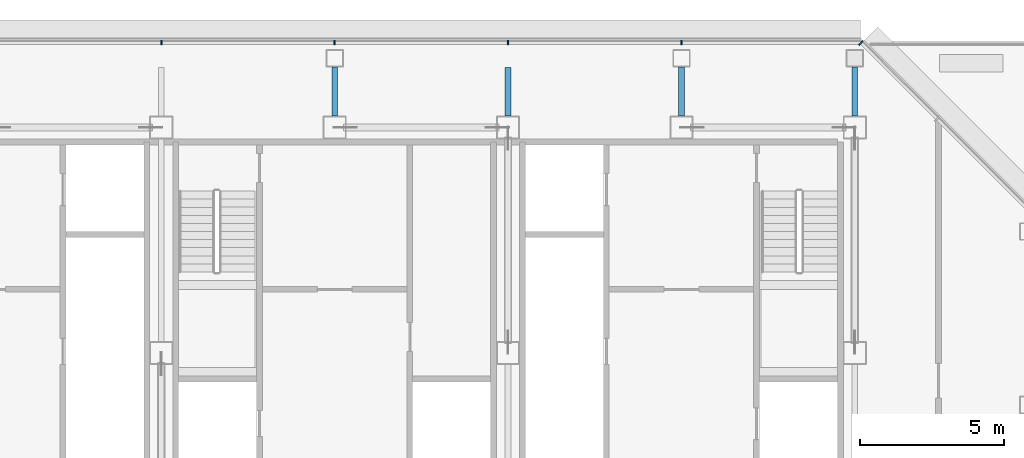
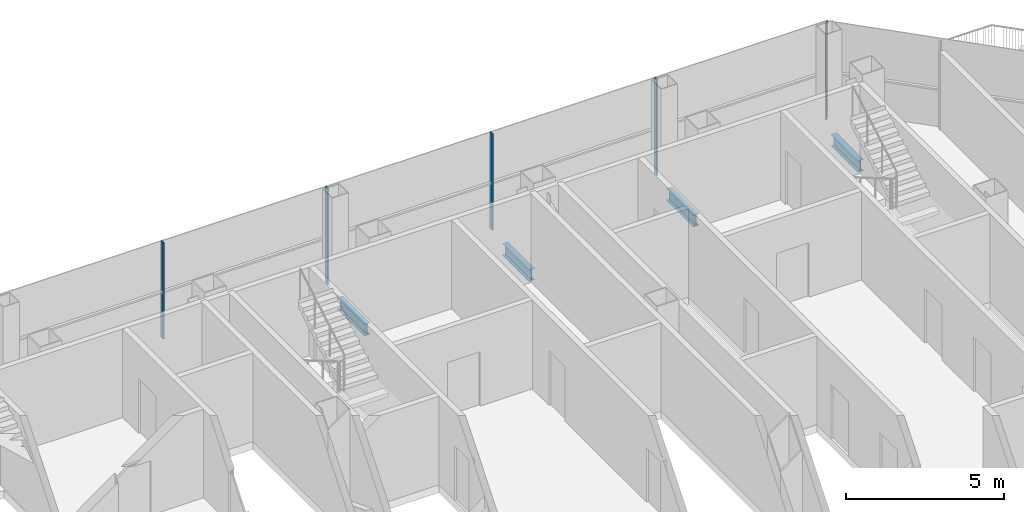
# One storey, part 14 of 28: 5 members, 4 beams, 2 elements without a shape of their own.
"""IFC4 building model written with IfcOpenShell, lengths in metres."""

import ifcopenshell
import ifcopenshell.guid

model = None  # the IFC model being written
_history = None  # IfcOwnerHistory: only IFC2X3 demands one
_inside = {}  # id of a spatial element -> (the spatial element, [elements in it])
_under = {}  # id of a project, library or spatial element -> (it, [spatial elements below it])
_declared = {}  # id of a project -> (the project, [libraries it declares])
_typed = {}  # id of a type object -> (the type object, [elements of that type])
_made_of = {}  # id of a material, layer set ... -> (it, [elements and type objects made of it])


def new_model(schema):
    """Start an empty IFC model of exactly this schema.

    Asked for "IFC4X3", IfcOpenShell would pick the latest addendum, in which some entities
    have other attributes; the version numbers below select the first issue.
    IFC2X3 requires an IfcOwnerHistory on every rooted entity: one is made here for all.
    """
    global model, _history
    if schema == "IFC4X3":
        model = ifcopenshell.file(schema_version=(4, 3, 0, 0))
    else:
        model = ifcopenshell.file(schema=schema)
    _inside.clear()
    _under.clear()
    _declared.clear()
    _typed.clear()
    _made_of.clear()
    _history = None
    if model.schema == "IFC2X3":
        org = make("IfcOrganization", Name="unknown")
        user = make(
            "IfcPersonAndOrganization",
            ThePerson=make("IfcPerson", FamilyName="unknown"),
            TheOrganization=org,
        )
        app = make(
            "IfcApplication",
            ApplicationDeveloper=org,
            Version="unknown",
            ApplicationFullName="unknown",
            ApplicationIdentifier="unknown",
        )
        _history = make(
            "IfcOwnerHistory",
            OwningUser=user,
            OwningApplication=app,
            ChangeAction="ADDED",
            CreationDate=0,
        )
    return model


def make(cls, **values):
    """One entity of the class cls with the attributes given. An attribute that is None is left unset."""
    return model.create_entity(
        cls, **{name: value for name, value in values.items() if value is not None}
    )


def rooted(cls, **values):
    """An entity with a GlobalId (a new one), such as an element, a storey or a relation."""
    return make(cls, GlobalId=ifcopenshell.guid.new(), OwnerHistory=_history, **values)


def si_unit(unit_type, name, prefix=None):
    """IfcSIUnit, for example si_unit("LENGTHUNIT", "METRE", prefix="MILLI")."""
    return make("IfcSIUnit", UnitType=unit_type, Prefix=prefix, Name=name)


def assignment(units):
    """IfcUnitAssignment: the units of a project."""
    return None if units is None else make("IfcUnitAssignment", Units=units)


def point(xyz):
    """IfcCartesianPoint."""
    return None if xyz is None else make("IfcCartesianPoint", Coordinates=xyz)


def direction(xyz):
    """IfcDirection."""
    return None if xyz is None else make("IfcDirection", DirectionRatios=xyz)


def frame(location, z_axis=None, x_axis=None):
    """IfcAxis2Placement3D, a coordinate frame: its origin and axes. An axis left out is left unset."""
    return make(
        "IfcAxis2Placement3D",
        Location=point(location),
        Axis=direction(z_axis),
        RefDirection=direction(x_axis),
    )


def frame_2d(location, x_axis=None):
    """IfcAxis2Placement2D, a coordinate frame in the plane: its origin and x axis."""
    return make(
        "IfcAxis2Placement2D", Location=point(location), RefDirection=direction(x_axis)
    )


def origin():
    """The frame at (0, 0, 0) with its axes left unset."""
    return frame((0.0, 0.0, 0.0))


def origin_2d():
    """The frame at (0, 0) in the plane with its x axis left unset."""
    return frame_2d((0.0, 0.0))


def place(relative_to, where):
    """IfcLocalPlacement: puts the frame where relative to a parent placement (None: the world)."""
    return make(
        "IfcLocalPlacement", PlacementRelTo=relative_to, RelativePlacement=where
    )


def context(
    kind, dimensions, precision=None, world=None, true_north=None, identifier=None
):
    """IfcGeometricRepresentationContext, for example the 3D "Model" context."""
    return make(
        "IfcGeometricRepresentationContext",
        ContextIdentifier=identifier,
        ContextType=kind,
        CoordinateSpaceDimension=dimensions,
        Precision=precision,
        WorldCoordinateSystem=world,
        TrueNorth=true_north,
    )


def subcontext(parent, identifier, kind, view, scale=None):
    """IfcGeometricRepresentationSubContext, for example "Body" below "Model"."""
    return make(
        "IfcGeometricRepresentationSubContext",
        ContextIdentifier=identifier,
        ContextType=kind,
        ParentContext=parent,
        TargetScale=scale,
        TargetView=view,
    )


def project(units=None, contexts=None):
    """IfcProject with its units and contexts."""
    return rooted(
        "IfcProject",
        Name="project",
        RepresentationContexts=contexts,
        UnitsInContext=assignment(units),
    )


def spatial(cls, under=None, at=None, **own):
    """A site, building, storey or space (cls), placed at a placement, below another one or the project."""
    s = rooted(cls, ObjectPlacement=at, **own)
    if under is not None:
        _under.setdefault(under.id(), (under, []))[1].append(s)
    return s


def profile(cls, at=None, kind="AREA", **sizes):
    """A parametric profile (cls). Its sizes go by their IFC names, for example OverallWidth=200.0."""
    return make(cls, ProfileType=kind, Position=at, **sizes)


def rectangle(**sizes):
    """IfcRectangleProfileDef."""
    return profile("IfcRectangleProfileDef", **sizes)


def i_section(**sizes):
    """IfcIShapeProfileDef."""
    return profile("IfcIShapeProfileDef", **sizes)


def extrude(swept, where, along, depth):
    """IfcExtrudedAreaSolid: the profile swept, set in the frame where, extruded along a direction by depth."""
    return make(
        "IfcExtrudedAreaSolid",
        SweptArea=swept,
        Position=where,
        ExtrudedDirection=direction(along),
        Depth=depth,
    )


def shape(context_of_items, identifier, shape_type, items):
    """IfcShapeRepresentation: the items that make up one representation, for example the "Body"."""
    return make(
        "IfcShapeRepresentation",
        ContextOfItems=context_of_items,
        RepresentationIdentifier=identifier,
        RepresentationType=shape_type,
        Items=items,
    )


def material(Name=None, Category=None):
    """IfcMaterial."""
    return make("IfcMaterial", Name=Name, Category=Category)


def material_profile(
    of_material, cross_section, Name=None, Category=None, Priority=None
):
    """IfcMaterialProfile: a cross section and its material."""
    return make(
        "IfcMaterialProfile",
        Name=Name,
        Material=of_material,
        Profile=cross_section,
        Priority=Priority,
        Category=Category,
    )


def profile_set(profiles, Name=None, composite=None):
    """IfcMaterialProfileSet."""
    return make(
        "IfcMaterialProfileSet",
        Name=Name,
        MaterialProfiles=profiles,
        CompositeProfile=composite,
    )


def made_of(thing, what):
    """Note that an element or type object is made of a material, layer set ...; save() writes the relation."""
    if what is not None:
        _made_of.setdefault(what.id(), (what, []))[1].append(thing)
    return thing


def type_object(cls, material=None, **own):
    """A type object (cls), such as IfcWallType, which elements share."""
    return made_of(rooted(cls, **own), material)


def element(
    cls,
    number,
    at=None,
    inside=None,
    cuts=None,
    type_object=None,
    material=None,
    context=None,
    identifier="Body",
    shape_type=None,
    held_by="IfcProductDefinitionShape",
    body=None,
    shapes=None,
    **own,
):
    """One element of the class cls, such as IfcWall. Its Tag is "e" and its number.

    at: its placement. inside: the storey or other place that contains it. cuts: it is an
    opening in that element (IfcRelVoidsElement). A single representation is given by context,
    identifier, shape_type and body (its items); several are given by shapes. held_by: the class
    of the entity that holds the representations. save() writes the other relations.
    """
    e = rooted(cls, Tag="e%d" % number, ObjectPlacement=at, **own)
    if body is not None:
        shapes = [shape(context, identifier, shape_type, body)]
    if shapes is not None:
        e.Representation = make(held_by, Representations=shapes)
    if inside is not None:
        _inside.setdefault(inside.id(), (inside, []))[1].append(e)
    if cuts is not None:
        rooted(
            "IfcRelVoidsElement", RelatingBuildingElement=cuts, RelatedOpeningElement=e
        )
    if type_object is not None:
        _typed.setdefault(type_object.id(), (type_object, []))[1].append(e)
    return made_of(e, material)


def aggregate(whole, parts):
    """IfcRelAggregates: a whole, such as a stair, and the parts it consists of."""
    return rooted("IfcRelAggregates", RelatingObject=whole, RelatedObjects=parts)


def save(model, path):
    """Write the relations noted so far, then the file.

    IfcRelAggregates (storeys below a building ...), IfcRelContainedInSpatialStructure (elements
    in a storey), IfcRelDefinesByType, IfcRelAssociatesMaterial and IfcRelDeclares: one each for
    every whole, place, type object, material and project.
    """
    for whole, parts in _under.values():
        aggregate(whole, parts)
    for where, things in _inside.values():
        rooted(
            "IfcRelContainedInSpatialStructure",
            RelatedElements=things,
            RelatingStructure=where,
        )
    for kind, things in _typed.values():
        rooted("IfcRelDefinesByType", RelatedObjects=things, RelatingType=kind)
    for what, things in _made_of.values():
        rooted("IfcRelAssociatesMaterial", RelatedObjects=things, RelatingMaterial=what)
    for by, libraries in _declared.values():
        rooted("IfcRelDeclares", RelatingContext=by, RelatedDefinitions=libraries)
    model.write(path)


model = new_model("IFC4")

# Units and contexts
model_context = context("Model", 3, precision=1e-05, world=origin(), true_north=direction((0.0, 1.0)))
body_context = subcontext(model_context, "Body", "Model", "MODEL_VIEW")
ifc_project = project(units=[si_unit("LENGTHUNIT", "METRE"), si_unit("AREAUNIT", "SQUARE_METRE"), si_unit("VOLUMEUNIT", "CUBIC_METRE"), si_unit("PLANEANGLEUNIT", "RADIAN"), si_unit("MASSUNIT", "GRAM", prefix="KILO")], contexts=[model_context])

# Site, building, storey
site_placement = place(None, origin())
site = spatial("IfcSite", under=ifc_project, at=site_placement, CompositionType="ELEMENT")
building_placement = place(site_placement, origin())
building = spatial("IfcBuilding", under=site, at=building_placement, Name="Sorahane Residences", CompositionType="ELEMENT")
storey_placement = place(building_placement, frame((0.0, 0.0, 290.800048828125)))
storey = spatial("IfcBuildingStorey", under=building, at=storey_placement, Name="L68", CompositionType="ELEMENT", Elevation=290.800048828125)

# Curtain wall, members
ifc_material_1 = material(Name="Dark low-e glass and black anodised aluminium", Category="aluminium")
curtain_wall_type_1 = type_object("IfcCurtainWallType", Name="Curtain wall CW-1 Typical unitised wall", PredefinedType="NOTDEFINED", material=ifc_material_1)
curtain_wall_1_placement = place(storey_placement, origin())
curtain_wall_1 = element("IfcCurtainWall", 1, at=curtain_wall_1_placement, inside=storey, type_object=curtain_wall_type_1, Name="CW-1 curtain wall L68 N1", PredefinedType="NOTDEFINED")
ifc_material_2 = material(Name="Black anodised aluminium", Category="aluminium")
ifc_material_profile_1 = material_profile(ifc_material_2, rectangle(XDim=0.159912109375, YDim=0.050048828125, at=origin_2d()), Name="Curtain wall mullion CW-1 black anodised aluminium 50x160")
ifc_profile_set_1 = profile_set([ifc_material_profile_1], Name="Black anodised aluminium")
member_type_1 = type_object("IfcMemberType", Name="Curtain wall mullion CW-1 black anodised aluminium 50x160", PredefinedType="MULLION", material=ifc_profile_set_1)
member_1_placement = place(storey_placement, frame((36.0, 48.5400390625, -0.300048828125), z_axis=(0.0, 0.0, 1.0), x_axis=(0.0, 1.0, 0.0)))
member_1 = element("IfcMember", 2, at=member_1_placement, type_object=member_type_1, Name="CW-1 mullion L68 N1.2", PredefinedType="MULLION", context=body_context, shape_type="SweptSolid", body=[
    extrude(rectangle(XDim=0.159912109375, YDim=0.050048828125, at=origin_2d()), origin(), (0.0, 0.0, 1.0), 3.719970703125),
])
member_2_placement = place(storey_placement, frame((30.0, 48.5400390625, -0.300048828125), z_axis=(0.0, 0.0, 1.0), x_axis=(0.0, 1.0, 0.0)))
member_2 = element("IfcMember", 3, at=member_2_placement, type_object=member_type_1, Name="CW-1 mullion L68 N1.3", PredefinedType="MULLION", context=body_context, shape_type="SweptSolid", body=[
    extrude(rectangle(XDim=0.159912109375, YDim=0.050048828125, at=origin_2d()), origin(), (0.0, 0.0, 1.0), 3.719970703125),
])
member_3_placement = place(storey_placement, frame((24.0, 48.5400390625, -0.300048828125), z_axis=(0.0, 0.0, 1.0), x_axis=(0.0, 1.0, 0.0)))
member_3 = element("IfcMember", 4, at=member_3_placement, type_object=member_type_1, Name="CW-1 mullion L68 N1.4", PredefinedType="MULLION", context=body_context, shape_type="SweptSolid", body=[
    extrude(rectangle(XDim=0.159912109375, YDim=0.050048828125, at=origin_2d()), origin(), (0.0, 0.0, 1.0), 3.719970703125),
])
member_4_placement = place(storey_placement, frame((18.0, 48.5400390625, -0.300048828125), z_axis=(0.0, 0.0, 1.0), x_axis=(0.0, 1.0, 0.0)))
member_4 = element("IfcMember", 5, at=member_4_placement, type_object=member_type_1, Name="CW-1 mullion L68 N1.5", PredefinedType="MULLION", context=body_context, shape_type="SweptSolid", body=[
    extrude(rectangle(XDim=0.159912109375, YDim=0.050048828125, at=origin_2d()), origin(), (0.0, 0.0, 1.0), 3.719970703125),
])
aggregate(curtain_wall_1, [member_1, member_2, member_3, member_4])

# Curtain wall, member
ifc_material_3 = material(Name="Dark low-e glass and black anodised aluminium", Category="aluminium")
curtain_wall_type_2 = type_object("IfcCurtainWallType", Name="Curtain wall CW-2 Chamfer unitised wall", PredefinedType="NOTDEFINED", material=ifc_material_3)
curtain_wall_2_placement = place(storey_placement, origin())
curtain_wall_2 = element("IfcCurtainWall", 6, at=curtain_wall_2_placement, inside=storey, type_object=curtain_wall_type_2, Name="CW-2 curtain wall L68 NE1", PredefinedType="NOTDEFINED")
ifc_material_4 = material(Name="Black anodised aluminium", Category="aluminium")
ifc_material_profile_2 = material_profile(ifc_material_4, rectangle(XDim=0.199951171875, YDim=0.050048828125, at=origin_2d()), Name="Curtain wall mullion CW-2 black anodised aluminium 50x200")
ifc_profile_set_2 = profile_set([ifc_material_profile_2], Name="Black anodised aluminium")
member_type_2 = type_object("IfcMemberType", Name="Curtain wall mullion CW-2 black anodised aluminium 50x200", PredefinedType="MULLION", material=ifc_profile_set_2)
member_5_placement = place(storey_placement, frame((42.209716796875, 48.525634765625, -0.300048828125), z_axis=(0.0, 0.0, 1.0), x_axis=(0.707106781187, 0.707106781187, 0.0)))
member_5 = element("IfcMember", 7, at=member_5_placement, type_object=member_type_2, Name="CW-2 mullion L68 NE1.3", PredefinedType="MULLION", context=body_context, shape_type="SweptSolid", body=[
    extrude(rectangle(XDim=0.199951171875, YDim=0.050048828125, at=origin_2d()), origin(), (0.0, 0.0, 1.0), 3.719970703125),
])
aggregate(curtain_wall_2, [member_5])

# Beams
ifc_material_5 = material(Name="Steel Q355B", Category="steel")
ifc_material_profile_3 = material_profile(ifc_material_5, i_section(OverallWidth=0.199951171875, OverallDepth=0.449951171875, WebThickness=0.009033203125, FlangeThickness=0.013916015625, FilletRadius=0.02001953125, at=origin_2d()), Name="HN 450x200x9x14")
ifc_profile_set_3 = profile_set([ifc_material_profile_3], Name="Steel Q355B")
beam_type = type_object("IfcBeamType", Name="Steel floor beam HN 450x200x9x14 Q355B", PredefinedType="BEAM", material=ifc_profile_set_3)
beam_1_placement = place(storey_placement, frame((24.0, 46.0, -0.525146484375), z_axis=(0.0, 1.0, 0.0), x_axis=(-1.0, 0.0, 0.0)))
element("IfcBeam", 8, at=beam_1_placement, inside=storey, type_object=beam_type, Name="Beam L68 034", PredefinedType="BEAM", context=body_context, shape_type="SweptSolid", body=[
    extrude(i_section(OverallWidth=0.199951171875, OverallDepth=0.449951171875, WebThickness=0.009033203125, FlangeThickness=0.013916015625, FilletRadius=0.02001953125, at=origin_2d()), origin(), (0.0, 0.0, 1.0), 1.699951171875),
])
beam_2_placement = place(storey_placement, frame((30.0, 46.0, -0.525146484375), z_axis=(0.0, 1.0, 0.0), x_axis=(-1.0, 0.0, 0.0)))
element("IfcBeam", 9, at=beam_2_placement, inside=storey, type_object=beam_type, Name="Beam L68 041", PredefinedType="BEAM", context=body_context, shape_type="SweptSolid", body=[
    extrude(i_section(OverallWidth=0.199951171875, OverallDepth=0.449951171875, WebThickness=0.009033203125, FlangeThickness=0.013916015625, FilletRadius=0.02001953125, at=origin_2d()), origin(), (0.0, 0.0, 1.0), 1.675048828125),
])
for number, where, z_axis, x_axis, name in (
    (10, (36.0, 46.0, -0.525146484375), (0.0, 1.0, 0.0), (-1.0, 0.0, 0.0), "Beam L68 044"),
    (11, (42.0, 46.0, -0.525146484375), (0.0, 1.0, 0.0), (-1.0, 0.0, 0.0), "Beam L68 051"),
):
    element("IfcBeam", number, at=place(storey_placement, frame(where, z_axis=z_axis, x_axis=x_axis)), inside=storey, type_object=beam_type, Name=name, PredefinedType="BEAM", context=body_context, shape_type="SweptSolid", body=[
        extrude(i_section(OverallWidth=0.199951171875, OverallDepth=0.449951171875, WebThickness=0.009033203125, FlangeThickness=0.013916015625, FilletRadius=0.02001953125, at=origin_2d()), origin(), (0.0, 0.0, 1.0), 1.699951171875),
    ])

save(model, "model.ifc")
